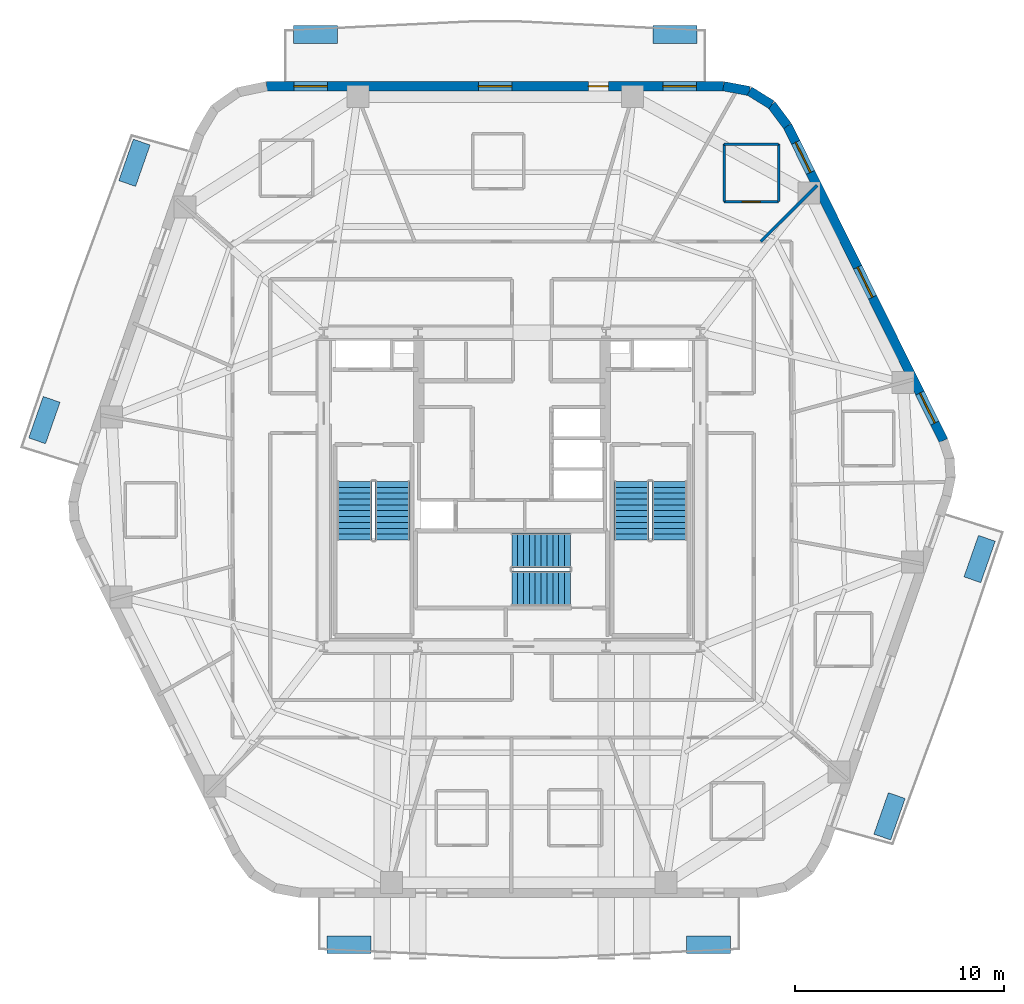
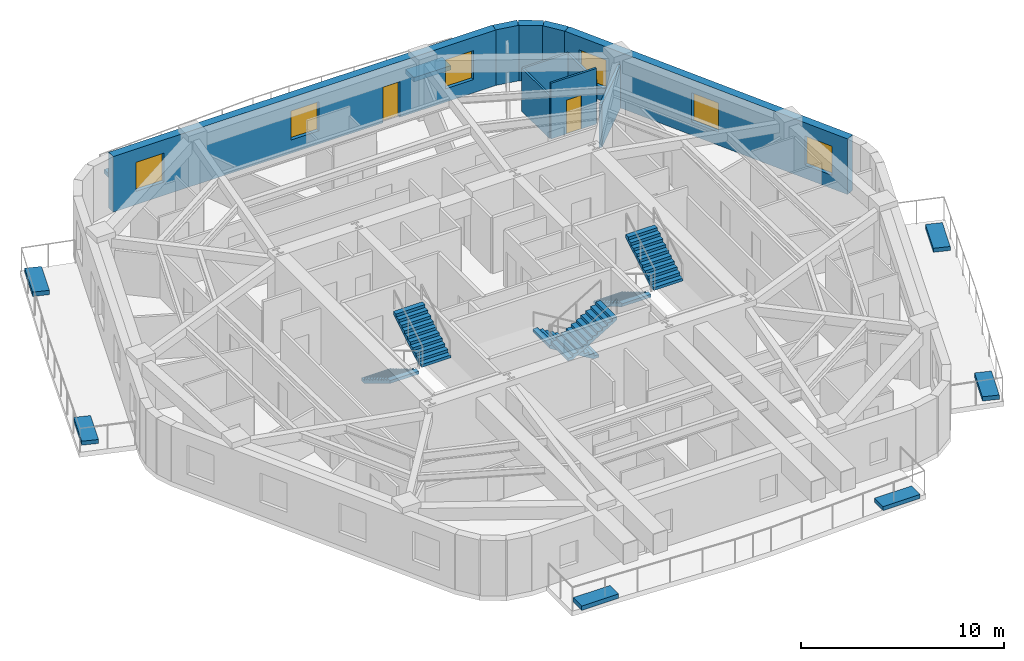
# One storey, part 7 of 11: 10 walls, 8 discrete accessories, 6 stair flights, 6 windows, 2 doors, 8 openings, 3 elements without a shape of their own.
"""IFC4 building model written with IfcOpenShell, lengths in metres."""

from ifc_helpers import new_model, si_unit, direction, frame, frame_2d, origin, origin_2d, place, context, subcontext, project, spatial, polyline, rectangle, outline, extrude, material, layer, layer_set, type_object, element, fill, aggregate, save


model = new_model("IFC4")

# Units and contexts
model_context = context("Model", 3, precision=1e-05, world=origin(), true_north=direction((0.0, 1.0)))
body_context = subcontext(model_context, "Body", "Model", "MODEL_VIEW")
ifc_project = project(units=[si_unit("LENGTHUNIT", "METRE"), si_unit("AREAUNIT", "SQUARE_METRE"), si_unit("VOLUMEUNIT", "CUBIC_METRE"), si_unit("PLANEANGLEUNIT", "RADIAN"), si_unit("MASSUNIT", "GRAM", prefix="KILO")], contexts=[model_context])

# Site, building, storey
site_placement = place(None, origin())
site = spatial("IfcSite", under=ifc_project, at=site_placement, CompositionType="ELEMENT")
building_placement = place(site_placement, origin())
building = spatial("IfcBuilding", under=site, at=building_placement, Name="Kilnhurst Terrace Hotel", CompositionType="ELEMENT")
storey_placement = place(building_placement, frame((0.0, 0.0, 197.800048828125)))
storey = spatial("IfcBuildingStorey", under=building, at=storey_placement, Name="L49", CompositionType="ELEMENT", Elevation=197.800048828125)

# Walls
ifc_material_1 = material(Name="Precast concrete C40/50", Category="concrete")
ifc_layer_1 = layer(ifc_material_1, 0.449951171875, Name="Precast concrete C40/50")
ifc_layer_set_1 = layer_set([ifc_layer_1], Name="Precast concrete C40/50")
wall_type_1 = type_object("IfcWallType", Name="WL-BRK-450", PredefinedType="SOLIDWALL", material=ifc_layer_set_1)
wall_1_placement = place(storey_placement, frame((13.162353515625, 17.380615234375, 0.0), z_axis=(0.0, 0.0, 1.0), x_axis=(-0.601515770517, 0.798860925205, 0.0)))
element("IfcWall", 1, at=wall_1_placement, inside=storey, type_object=wall_type_1, Name="L49 Rounded Corner Brick Wall C4.1", PredefinedType="SOLIDWALL", context=body_context, shape_type="SweptSolid", body=[
    extrude(rectangle(XDim=1.261962890625, YDim=0.449951171875, at=frame_2d((0.630859375, 0.0))), origin(), (0.0, 0.0, 1.0), 3.349853515625),
])
wall_2_placement = place(storey_placement, frame((12.4033203125, 18.388671875, 0.0), z_axis=(0.0, 0.0, 1.0), x_axis=(-0.849795170926, 0.527113049991, 0.0)))
element("IfcWall", 2, at=wall_2_placement, inside=storey, type_object=wall_type_1, Name="L49 Rounded Corner Brick Wall C4.2", PredefinedType="SOLIDWALL", context=body_context, shape_type="SweptSolid", body=[
    extrude(rectangle(XDim=1.24072265625, YDim=0.449951171875, at=frame_2d((0.620361328125, 0.0))), origin(), (0.0, 0.0, 1.0), 3.349853515625),
])
wall_3_placement = place(storey_placement, frame((11.348876953125, 19.042724609375, 0.0), z_axis=(0.0, 0.0, 1.0), x_axis=(-0.982931267051, 0.183973161772, 0.0)))
element("IfcWall", 3, at=wall_3_placement, inside=storey, type_object=wall_type_1, Name="L49 Rounded Corner Brick Wall C4.3", PredefinedType="SOLIDWALL", context=body_context, shape_type="SweptSolid", body=[
    extrude(rectangle(XDim=1.261962890625, YDim=0.449951171875, at=frame_2d((0.630859375, 0.0))), origin(), (0.0, 0.0, 1.0), 3.349853515625),
])

# Wall, openings, windows
wall_4_placement = place(storey_placement, frame((20.618408203125, 2.343994140625, 0.0), z_axis=(0.0, 0.0, 1.0), x_axis=(-0.444243691097, 0.895905990002, 0.0)))
wall_4 = element("IfcWall", 4, at=wall_4_placement, inside=storey, type_object=wall_type_1, Name="L49 Exterior Brick Facade Wall F3", PredefinedType="SOLIDWALL", context=body_context, shape_type="SweptSolid", body=[
    extrude(rectangle(XDim=16.78369140625, YDim=0.449951171875, at=frame_2d((8.391845703125, 0.0))), origin(), (0.0, 0.0, 1.0), 3.349853515625),
])
opening_1_placement = place(wall_4_placement, frame((0.930908203125, 0.0, 0.800048828125)))
opening_1 = element("IfcOpeningElement", 5, at=opening_1_placement, cuts=wall_4, Name="Opening W-05", PredefinedType="OPENING", context=body_context, shape_type="SweptSolid", body=[
    extrude(rectangle(XDim=1.60009765625, YDim=1.75, at=frame_2d((0.800048828125, 0.875))), frame((0.0, 0.23486328125, 0.0), z_axis=(0.0, -1.0, 0.0), x_axis=(1.0, 0.0, 0.0)), (0.0, 0.0, 1.0), 0.469970703125),
])
opening_2_placement = place(wall_4_placement, frame((7.64208984375, 0.0, 0.800048828125)))
opening_2 = element("IfcOpeningElement", 6, at=opening_2_placement, cuts=wall_4, Name="Opening W-05", PredefinedType="OPENING", context=body_context, shape_type="SweptSolid", body=[
    extrude(rectangle(XDim=1.60009765625, YDim=1.75, at=frame_2d((0.800048828125, 0.875))), frame((0.0, 0.23486328125, 0.0), z_axis=(0.0, -1.0, 0.0), x_axis=(1.0, 0.0, 0.0)), (0.0, 0.0, 1.0), 0.469970703125),
])
opening_3_placement = place(wall_4_placement, frame((14.302978515625, 0.0, 0.800048828125)))
opening_3 = element("IfcOpeningElement", 7, at=opening_3_placement, cuts=wall_4, Name="Opening W-05", PredefinedType="OPENING", context=body_context, shape_type="SweptSolid", body=[
    extrude(rectangle(XDim=1.60009765625, YDim=1.75, at=frame_2d((0.800048828125, 0.875))), frame((0.0, 0.23486328125, 0.0), z_axis=(0.0, -1.0, 0.0), x_axis=(1.0, 0.0, 0.0)), (0.0, 0.0, 1.0), 0.469970703125),
])
ifc_material_2 = material(Name="Thermally Broken Bronze Aluminium Alloy 6063-T6 and Low-E Glass", Category="aluminium")
window_type = type_object("IfcWindowType", Name="WIN-1600X1750", PartitioningType="SINGLE_PANEL", PredefinedType="WINDOW", material=ifc_material_2)
window_1_placement = place(opening_1_placement, origin())
window_1 = element("IfcWindow", 8, at=window_1_placement, inside=storey, type_object=window_type, Name="L49 Deep-Set Masonry Window F3.1", OverallHeight=1.75, OverallWidth=1.60009765625, PartitioningType="SINGLE_PANEL", PredefinedType="WINDOW", context=body_context, shape_type="SweptSolid", body=[
    extrude(rectangle(XDim=1.60009765625, YDim=1.75, at=frame_2d((0.800048828125, 0.875))), frame((0.0, 0.030029296875, 0.0), z_axis=(0.0, -1.0, 0.0), x_axis=(1.0, 0.0, 0.0)), (0.0, 0.0, 1.0), 0.06005859375),
])
fill(opening_1, window_1)
window_2_placement = place(opening_2_placement, origin())
window_2 = element("IfcWindow", 9, at=window_2_placement, inside=storey, type_object=window_type, Name="L49 Deep-Set Masonry Window F3.2", OverallHeight=1.75, OverallWidth=1.60009765625, PartitioningType="SINGLE_PANEL", PredefinedType="WINDOW", context=body_context, shape_type="SweptSolid", body=[
    extrude(rectangle(XDim=1.60009765625, YDim=1.75, at=frame_2d((0.800048828125, 0.875))), frame((0.0, 0.030029296875, 0.0), z_axis=(0.0, -1.0, 0.0), x_axis=(1.0, 0.0, 0.0)), (0.0, 0.0, 1.0), 0.06005859375),
])
fill(opening_2, window_2)
window_3_placement = place(opening_3_placement, origin())
window_3 = element("IfcWindow", 10, at=window_3_placement, inside=storey, type_object=window_type, Name="L49 Deep-Set Masonry Window F3.3", OverallHeight=1.75, OverallWidth=1.60009765625, PartitioningType="SINGLE_PANEL", PredefinedType="WINDOW", context=body_context, shape_type="SweptSolid", body=[
    extrude(rectangle(XDim=1.60009765625, YDim=1.75, at=frame_2d((0.800048828125, 0.875))), frame((0.0, 0.030029296875, 0.0), z_axis=(0.0, -1.0, 0.0), x_axis=(1.0, 0.0, 0.0)), (0.0, 0.0, 1.0), 0.06005859375),
])
fill(opening_3, window_3)

# Wall, openings, door, windows
wall_5_placement = place(storey_placement, frame((10.1083984375, 19.27490234375, 0.0), z_axis=(0.0, 0.0, 1.0), x_axis=(-1.0, 0.0, 0.0)))
wall_5 = element("IfcWall", 11, at=wall_5_placement, inside=storey, type_object=wall_type_1, Name="L49 Exterior Brick Facade Wall F4", PredefinedType="SOLIDWALL", context=body_context, shape_type="SweptSolid", body=[
    extrude(rectangle(XDim=21.828857421875, YDim=0.449951171875, at=frame_2d((10.91455078125, 0.0))), origin(), (0.0, 0.0, 1.0), 3.349853515625),
])
opening_4_placement = place(wall_5_placement, frame((5.5029296875, 0.0, 0.0)))
opening_4 = element("IfcOpeningElement", 12, at=opening_4_placement, cuts=wall_5, Name="Opening BD-950", PredefinedType="OPENING", context=body_context, shape_type="SweptSolid", body=[
    extrude(rectangle(XDim=0.949951171875, YDim=2.14990234375, at=frame_2d((0.47509765625, 1.074951171875))), frame((0.0, 0.23486328125, 0.0), z_axis=(0.0, -1.0, 0.0), x_axis=(1.0, 0.0, 0.0)), (0.0, 0.0, 1.0), 0.469970703125),
])
opening_5_placement = place(wall_5_placement, frame((1.297119140625, 0.0, 0.800048828125)))
opening_5 = element("IfcOpeningElement", 13, at=opening_5_placement, cuts=wall_5, Name="Opening W-05", PredefinedType="OPENING", context=body_context, shape_type="SweptSolid", body=[
    extrude(rectangle(XDim=1.60009765625, YDim=1.75, at=frame_2d((0.800048828125, 0.875))), frame((0.0, 0.23486328125, 0.0), z_axis=(0.0, -1.0, 0.0), x_axis=(1.0, 0.0, 0.0)), (0.0, 0.0, 1.0), 0.469970703125),
])
opening_6_placement = place(wall_5_placement, frame((10.114990234375, 0.0, 0.800048828125)))
opening_6 = element("IfcOpeningElement", 14, at=opening_6_placement, cuts=wall_5, Name="Opening W-05", PredefinedType="OPENING", context=body_context, shape_type="SweptSolid", body=[
    extrude(rectangle(XDim=1.60009765625, YDim=1.75, at=frame_2d((0.800048828125, 0.875))), frame((0.0, 0.23486328125, 0.0), z_axis=(0.0, -1.0, 0.0), x_axis=(1.0, 0.0, 0.0)), (0.0, 0.0, 1.0), 0.469970703125),
])
opening_7_placement = place(wall_5_placement, frame((18.93310546875, 0.0, 0.800048828125)))
opening_7 = element("IfcOpeningElement", 15, at=opening_7_placement, cuts=wall_5, Name="Opening W-05", PredefinedType="OPENING", context=body_context, shape_type="SweptSolid", body=[
    extrude(rectangle(XDim=1.60009765625, YDim=1.75, at=frame_2d((0.800048828125, 0.875))), frame((0.0, 0.23486328125, 0.0), z_axis=(0.0, -1.0, 0.0), x_axis=(1.0, 0.0, 0.0)), (0.0, 0.0, 1.0), 0.469970703125),
])
ifc_material_3 = material(Name="Thermally Broken Bronze Aluminium Alloy 6063-T6 and Laminated Glass", Category="aluminium")
door_type_1 = type_object("IfcDoorType", Name="DR-EXT-BAL-950", OperationType="NOTDEFINED", PredefinedType="DOOR", material=ifc_material_3)
door_1_placement = place(opening_4_placement, origin())
door_1 = element("IfcDoor", 16, at=door_1_placement, inside=storey, type_object=door_type_1, Name="L49 Planted Balcony Door BAL-L2A", OperationType="SINGLE_SWING_RIGHT", OverallHeight=2.14990234375, OverallWidth=0.949951171875, PredefinedType="DOOR", context=body_context, shape_type="SweptSolid", body=[
    extrude(rectangle(XDim=0.949951171875, YDim=2.14990234375, at=frame_2d((0.47509765625, 1.074951171875))), frame((0.0, 0.02490234375, 0.0), z_axis=(0.0, -1.0, 0.0), x_axis=(1.0, 0.0, 0.0)), (0.0, 0.0, 1.0), 0.050048828125),
])
fill(opening_4, door_1)
window_4_placement = place(opening_5_placement, origin())
window_4 = element("IfcWindow", 17, at=window_4_placement, inside=storey, type_object=window_type, Name="L49 Deep-Set Masonry Window F4.1", OverallHeight=1.75, OverallWidth=1.60009765625, PartitioningType="SINGLE_PANEL", PredefinedType="WINDOW", context=body_context, shape_type="SweptSolid", body=[
    extrude(rectangle(XDim=1.60009765625, YDim=1.75, at=frame_2d((0.800048828125, 0.875))), frame((0.0, 0.030029296875, 0.0), z_axis=(0.0, -1.0, 0.0), x_axis=(1.0, 0.0, 0.0)), (0.0, 0.0, 1.0), 0.06005859375),
])
fill(opening_5, window_4)
window_5_placement = place(opening_6_placement, origin())
window_5 = element("IfcWindow", 18, at=window_5_placement, inside=storey, type_object=window_type, Name="L49 Deep-Set Masonry Window F4.2", OverallHeight=1.75, OverallWidth=1.60009765625, PartitioningType="SINGLE_PANEL", PredefinedType="WINDOW", context=body_context, shape_type="SweptSolid", body=[
    extrude(rectangle(XDim=1.60009765625, YDim=1.75, at=frame_2d((0.800048828125, 0.875))), frame((0.0, 0.030029296875, 0.0), z_axis=(0.0, -1.0, 0.0), x_axis=(1.0, 0.0, 0.0)), (0.0, 0.0, 1.0), 0.06005859375),
])
fill(opening_6, window_5)
window_6_placement = place(opening_7_placement, origin())
window_6 = element("IfcWindow", 19, at=window_6_placement, inside=storey, type_object=window_type, Name="L49 Deep-Set Masonry Window F4.3", OverallHeight=1.75, OverallWidth=1.60009765625, PartitioningType="SINGLE_PANEL", PredefinedType="WINDOW", context=body_context, shape_type="SweptSolid", body=[
    extrude(rectangle(XDim=1.60009765625, YDim=1.75, at=frame_2d((0.800048828125, 0.875))), frame((0.0, 0.030029296875, 0.0), z_axis=(0.0, -1.0, 0.0), x_axis=(1.0, 0.0, 0.0)), (0.0, 0.0, 1.0), 0.06005859375),
])
fill(opening_7, window_6)

# Wall
ifc_material_4 = material(Name="STC-58 Acoustic Twin-Frame Guestroom Demising Partition")
ifc_layer_2 = layer(ifc_material_4, 0.14990234375, Name="STC-58 Acoustic Twin-Frame Guestroom Demising Partition")
ifc_layer_set_2 = layer_set([ifc_layer_2], Name="STC-58 Acoustic Twin-Frame Guestroom Demising Partition")
wall_type_2 = type_object("IfcWallType", Name="WL-DEM-150", PredefinedType="PARTITIONING", material=ifc_layer_set_2)
wall_6_placement = place(storey_placement, frame((11.8818359375, 11.85009765625, 0.0), z_axis=(0.0, 0.0, 1.0), x_axis=(0.708037373639, 0.706174962407, 0.0)))
element("IfcWall", 20, at=wall_6_placement, inside=storey, type_object=wall_type_2, Name="L49 Interior Wall WL-L49-DEM-COL02-03-1", PredefinedType="PARTITIONING", context=body_context, shape_type="SweptSolid", body=[
    extrude(rectangle(XDim=3.801513671875, YDim=0.14990234375, at=frame_2d((1.90087890625, 0.0))), origin(), (0.0, 0.0, 1.0), 2.58984375),
])

# Wall, opening, door
ifc_material_5 = material(Name="120 mm Moisture-Resistant Tile-Backed Bathroom Partition")
ifc_layer_3 = layer(ifc_material_5, 0.1201171875, Name="120 mm Moisture-Resistant Tile-Backed Bathroom Partition")
ifc_layer_set_3 = layer_set([ifc_layer_3], Name="120 mm Moisture-Resistant Tile-Backed Bathroom Partition")
wall_type_3 = type_object("IfcWallType", Name="WL-PART-120", PredefinedType="PARTITIONING", material=ifc_layer_set_3)
wall_7_placement = place(storey_placement, frame((10.135986328125, 13.760986328125, 0.0), z_axis=(0.0, 0.0, 1.0), x_axis=(1.0, 0.0, 0.0)))
wall_7 = element("IfcWall", 21, at=wall_7_placement, inside=storey, type_object=wall_type_3, Name="L49 Interior Wall WL-L49-BTH-03-1", PredefinedType="PARTITIONING", context=body_context, shape_type="SweptSolid", body=[
    extrude(rectangle(XDim=2.60009765625, YDim=0.1201171875, at=frame_2d((1.300048828125, 0.0))), origin(), (0.0, 0.0, 1.0), 3.349853515625),
])
opening_8_placement = place(wall_7_placement, frame((0.875, 0.0, 0.0)))
opening_8 = element("IfcOpeningElement", 22, at=opening_8_placement, cuts=wall_7, Name="Opening D-08A", PredefinedType="OPENING", context=body_context, shape_type="SweptSolid", body=[
    extrude(rectangle(XDim=0.85009765625, YDim=2.030029296875, at=frame_2d((0.425048828125, 1.01513671875))), frame((0.0, 0.070068359375, 0.0), z_axis=(0.0, -1.0, 0.0), x_axis=(1.0, 0.0, 0.0)), (0.0, 0.0, 1.0), 0.14013671875),
])
ifc_material_6 = material(Name="Moisture-Resistant Lacquered En-suite Bathroom Door")
door_type_2 = type_object("IfcDoorType", Name="DR-INT-850", OperationType="NOTDEFINED", PredefinedType="DOOR", material=ifc_material_6)
door_2_placement = place(opening_8_placement, origin())
door_2 = element("IfcDoor", 23, at=door_2_placement, inside=storey, type_object=door_type_2, Name="L49 En-suite Bathroom Door 3", OperationType="SINGLE_SWING_RIGHT", OverallHeight=2.030029296875, OverallWidth=0.85009765625, PredefinedType="DOOR", context=body_context, shape_type="SweptSolid", body=[
    extrude(rectangle(XDim=0.85009765625, YDim=2.030029296875, at=frame_2d((0.425048828125, 1.01513671875))), frame((0.0, 0.02490234375, 0.0), z_axis=(0.0, -1.0, 0.0), x_axis=(1.0, 0.0, 0.0)), (0.0, 0.0, 1.0), 0.050048828125),
])
fill(opening_8, door_2)

# Walls
wall_8_placement = place(storey_placement, frame((12.736083984375, 13.760986328125, 0.0), z_axis=(0.0, 0.0, 1.0), x_axis=(0.0, 1.0, 0.0)))
element("IfcWall", 24, at=wall_8_placement, inside=storey, type_object=wall_type_3, Name="L49 Interior Wall WL-L49-BTH-03-2", PredefinedType="PARTITIONING", context=body_context, shape_type="SweptSolid", body=[
    extrude(rectangle(XDim=2.75, YDim=0.1201171875, at=frame_2d((1.375, 0.0))), origin(), (0.0, 0.0, 1.0), 2.58984375),
])
wall_9_placement = place(storey_placement, frame((12.736083984375, 16.510986328125, 0.0), z_axis=(0.0, 0.0, 1.0), x_axis=(-1.0, 0.0, 0.0)))
element("IfcWall", 25, at=wall_9_placement, inside=storey, type_object=wall_type_3, Name="L49 Interior Wall WL-L49-BTH-03-3", PredefinedType="PARTITIONING", context=body_context, shape_type="SweptSolid", body=[
    extrude(rectangle(XDim=2.60009765625, YDim=0.1201171875, at=frame_2d((1.300048828125, 0.0))), origin(), (0.0, 0.0, 1.0), 2.58984375),
])
wall_10_placement = place(storey_placement, frame((10.135986328125, 16.510986328125, 0.0), z_axis=(0.0, 0.0, 1.0), x_axis=(0.0, -1.0, 0.0)))
element("IfcWall", 26, at=wall_10_placement, inside=storey, type_object=wall_type_3, Name="L49 Interior Wall WL-L49-BTH-03-4", PredefinedType="PARTITIONING", context=body_context, shape_type="SweptSolid", body=[
    extrude(rectangle(XDim=2.75, YDim=0.1201171875, at=frame_2d((1.375, 0.0))), origin(), (0.0, 0.0, 1.0), 2.58984375),
])

# Stair, stair flights
ifc_material_7 = material(Name="Concrete C50/60", Category="concrete")
stair_type = type_object("IfcStairType", Name="STR-CORE-1660", PredefinedType="HALF_TURN_STAIR", material=ifc_material_7)
stair_1_placement = place(storey_placement, origin())
stair_1 = element("IfcStair", 27, at=stair_1_placement, inside=storey, type_object=stair_type, Name="L49 ST-1", PredefinedType="HALF_TURN_STAIR")
stair_flight_type = type_object("IfcStairFlightType", Name="FLT-RC-1660", PredefinedType="STRAIGHT", material=ifc_material_7)
stair_flight_1_placement = place(storey_placement, frame((-7.52001953125, 0.389892578125, 0.0), z_axis=(0.0, 0.0, 1.0), x_axis=(0.0, -1.0, 0.0)))
stair_flight_1 = element("IfcStairFlight", 28, at=stair_flight_1_placement, type_object=stair_flight_type, Name="ST-1 flight 1", NumberOfRisers=11, NumberOfTreads=10, PredefinedType="STRAIGHT", RiserHeight=0.168181818, TreadLength=0.28, context=body_context, shape_type="SweptSolid", body=[
    extrude(outline(polyline([(0.0, 0.0), (0.0, 0.168212890625), (0.280029296875, 0.168212890625), (0.280029296875, 0.33642578125), (0.56005859375, 0.33642578125), (0.56005859375, 0.504638671875), (0.840087890625, 0.504638671875), (0.840087890625, 0.672607421875), (1.1201171875, 0.672607421875), (1.1201171875, 0.8408203125), (1.39990234375, 0.8408203125), (1.39990234375, 1.009033203125), (1.679931640625, 1.009033203125), (1.679931640625, 1.17724609375), (1.9599609375, 1.17724609375), (1.9599609375, 1.345458984375), (2.239990234375, 1.345458984375), (2.239990234375, 1.513671875), (2.52001953125, 1.513671875), (2.52001953125, 1.681884765625), (2.800048828125, 1.681884765625), (2.800048828125, 1.85009765625), (2.800048828125, 1.5068359375), (0.291015625, 0.0), (0.0, 0.0)])), frame((0.0, 0.830078125, 0.0), z_axis=(0.0, -1.0, 0.0), x_axis=(1.0, 0.0, 0.0)), (0.0, 0.0, 1.0), 1.659912109375),
])
stair_flight_2_placement = place(storey_placement, frame((-5.7099609375, -2.409912109375, 1.849853515625), z_axis=(0.0, 0.0, 1.0), x_axis=(0.0, 1.0, 0.0)))
stair_flight_2 = element("IfcStairFlight", 29, at=stair_flight_2_placement, type_object=stair_flight_type, Name="ST-1 flight 2", NumberOfRisers=11, NumberOfTreads=10, PredefinedType="STRAIGHT", RiserHeight=0.168181818, TreadLength=0.28, context=body_context, shape_type="SweptSolid", body=[
    extrude(outline(polyline([(0.0, 0.0), (0.0, 0.168212890625), (0.280029296875, 0.168212890625), (0.280029296875, 0.33642578125), (0.56005859375, 0.33642578125), (0.56005859375, 0.504638671875), (0.840087890625, 0.504638671875), (0.840087890625, 0.672607421875), (1.1201171875, 0.672607421875), (1.1201171875, 0.8408203125), (1.39990234375, 0.8408203125), (1.39990234375, 1.009033203125), (1.679931640625, 1.009033203125), (1.679931640625, 1.17724609375), (1.9599609375, 1.17724609375), (1.9599609375, 1.345458984375), (2.239990234375, 1.345458984375), (2.239990234375, 1.513671875), (2.52001953125, 1.513671875), (2.52001953125, 1.681884765625), (2.800048828125, 1.681884765625), (2.800048828125, 1.85009765625), (2.800048828125, 1.5068359375), (0.291015625, 0.0), (0.0, 0.0)])), frame((0.0, 0.830078125, 0.0), z_axis=(0.0, -1.0, 0.0), x_axis=(1.0, 0.0, 0.0)), (0.0, 0.0, 1.0), 1.659912109375),
])
aggregate(stair_1, [stair_flight_1, stair_flight_2])

stair_2_placement = place(storey_placement, origin())
stair_2 = element("IfcStair", 30, at=stair_2_placement, inside=storey, type_object=stair_type, Name="L49 ST-2", PredefinedType="HALF_TURN_STAIR")
stair_flight_3_placement = place(storey_placement, frame((5.7099609375, 0.389892578125, 0.0), z_axis=(0.0, 0.0, 1.0), x_axis=(0.0, -1.0, 0.0)))
stair_flight_3 = element("IfcStairFlight", 31, at=stair_flight_3_placement, type_object=stair_flight_type, Name="ST-2 flight 1", NumberOfRisers=11, NumberOfTreads=10, PredefinedType="STRAIGHT", RiserHeight=0.168181818, TreadLength=0.28, context=body_context, shape_type="SweptSolid", body=[
    extrude(outline(polyline([(0.0, 0.0), (0.0, 0.168212890625), (0.280029296875, 0.168212890625), (0.280029296875, 0.33642578125), (0.56005859375, 0.33642578125), (0.56005859375, 0.504638671875), (0.840087890625, 0.504638671875), (0.840087890625, 0.672607421875), (1.1201171875, 0.672607421875), (1.1201171875, 0.8408203125), (1.39990234375, 0.8408203125), (1.39990234375, 1.009033203125), (1.679931640625, 1.009033203125), (1.679931640625, 1.17724609375), (1.9599609375, 1.17724609375), (1.9599609375, 1.345458984375), (2.239990234375, 1.345458984375), (2.239990234375, 1.513671875), (2.52001953125, 1.513671875), (2.52001953125, 1.681884765625), (2.800048828125, 1.681884765625), (2.800048828125, 1.85009765625), (2.800048828125, 1.5068359375), (0.291015625, 0.0), (0.0, 0.0)])), frame((0.0, 0.830078125, 0.0), z_axis=(0.0, -1.0, 0.0), x_axis=(1.0, 0.0, 0.0)), (0.0, 0.0, 1.0), 1.659912109375),
])
stair_flight_4_placement = place(storey_placement, frame((7.52001953125, -2.409912109375, 1.849853515625), z_axis=(0.0, 0.0, 1.0), x_axis=(0.0, 1.0, 0.0)))
stair_flight_4 = element("IfcStairFlight", 32, at=stair_flight_4_placement, type_object=stair_flight_type, Name="ST-2 flight 2", NumberOfRisers=11, NumberOfTreads=10, PredefinedType="STRAIGHT", RiserHeight=0.168181818, TreadLength=0.28, context=body_context, shape_type="SweptSolid", body=[
    extrude(outline(polyline([(0.0, 0.0), (0.0, 0.168212890625), (0.280029296875, 0.168212890625), (0.280029296875, 0.33642578125), (0.56005859375, 0.33642578125), (0.56005859375, 0.504638671875), (0.840087890625, 0.504638671875), (0.840087890625, 0.672607421875), (1.1201171875, 0.672607421875), (1.1201171875, 0.8408203125), (1.39990234375, 0.8408203125), (1.39990234375, 1.009033203125), (1.679931640625, 1.009033203125), (1.679931640625, 1.17724609375), (1.9599609375, 1.17724609375), (1.9599609375, 1.345458984375), (2.239990234375, 1.345458984375), (2.239990234375, 1.513671875), (2.52001953125, 1.513671875), (2.52001953125, 1.681884765625), (2.800048828125, 1.681884765625), (2.800048828125, 1.85009765625), (2.800048828125, 1.5068359375), (0.291015625, 0.0), (0.0, 0.0)])), frame((0.0, 0.830078125, 0.0), z_axis=(0.0, -1.0, 0.0), x_axis=(1.0, 0.0, 0.0)), (0.0, 0.0, 1.0), 1.659912109375),
])
aggregate(stair_2, [stair_flight_3, stair_flight_4])

stair_3_placement = place(storey_placement, origin())
stair_3 = element("IfcStair", 33, at=stair_3_placement, inside=storey, type_object=stair_type, Name="L49 ST-3", PredefinedType="HALF_TURN_STAIR")
stair_flight_5_placement = place(storey_placement, frame((2.7900390625, -2.909912109375, 0.0), z_axis=(0.0, 0.0, 1.0), x_axis=(-1.0, 0.0, 0.0)))
stair_flight_5 = element("IfcStairFlight", 34, at=stair_flight_5_placement, type_object=stair_flight_type, Name="ST-3 flight 1", NumberOfRisers=11, NumberOfTreads=10, PredefinedType="STRAIGHT", RiserHeight=0.168181818, TreadLength=0.28, context=body_context, shape_type="SweptSolid", body=[
    extrude(outline(polyline([(0.0, 0.0), (0.0, 0.168212890625), (0.280029296875, 0.168212890625), (0.280029296875, 0.33642578125), (0.56005859375, 0.33642578125), (0.56005859375, 0.504638671875), (0.840087890625, 0.504638671875), (0.840087890625, 0.672607421875), (1.1201171875, 0.672607421875), (1.1201171875, 0.8408203125), (1.39990234375, 0.8408203125), (1.39990234375, 1.009033203125), (1.679931640625, 1.009033203125), (1.679931640625, 1.17724609375), (1.9599609375, 1.17724609375), (1.9599609375, 1.345458984375), (2.239990234375, 1.345458984375), (2.239990234375, 1.513671875), (2.52001953125, 1.513671875), (2.52001953125, 1.681884765625), (2.800048828125, 1.681884765625), (2.800048828125, 1.85009765625), (2.800048828125, 1.5068359375), (0.291015625, 0.0), (0.0, 0.0)])), frame((0.0, 0.830078125, 0.0), z_axis=(0.0, -1.0, 0.0), x_axis=(1.0, 0.0, 0.0)), (0.0, 0.0, 1.0), 1.659912109375),
])
stair_flight_6_placement = place(storey_placement, frame((-0.010009765625, -4.719970703125, 1.849853515625), z_axis=(0.0, 0.0, 1.0), x_axis=(1.0, 0.0, 0.0)))
stair_flight_6 = element("IfcStairFlight", 35, at=stair_flight_6_placement, type_object=stair_flight_type, Name="ST-3 flight 2", NumberOfRisers=11, NumberOfTreads=10, PredefinedType="STRAIGHT", RiserHeight=0.168181818, TreadLength=0.28, context=body_context, shape_type="SweptSolid", body=[
    extrude(outline(polyline([(0.0, 0.0), (0.0, 0.168212890625), (0.280029296875, 0.168212890625), (0.280029296875, 0.33642578125), (0.56005859375, 0.33642578125), (0.56005859375, 0.504638671875), (0.840087890625, 0.504638671875), (0.840087890625, 0.672607421875), (1.1201171875, 0.672607421875), (1.1201171875, 0.8408203125), (1.39990234375, 0.8408203125), (1.39990234375, 1.009033203125), (1.679931640625, 1.009033203125), (1.679931640625, 1.17724609375), (1.9599609375, 1.17724609375), (1.9599609375, 1.345458984375), (2.239990234375, 1.345458984375), (2.239990234375, 1.513671875), (2.52001953125, 1.513671875), (2.52001953125, 1.681884765625), (2.800048828125, 1.681884765625), (2.800048828125, 1.85009765625), (2.800048828125, 1.5068359375), (0.291015625, 0.0), (0.0, 0.0)])), frame((0.0, 0.830078125, 0.0), z_axis=(0.0, -1.0, 0.0), x_axis=(1.0, 0.0, 0.0)), (0.0, 0.0, 1.0), 1.659912109375),
])
aggregate(stair_3, [stair_flight_5, stair_flight_6])

# Discrete accessories
ifc_material_8 = material(Name="Precast Concrete C40/50 Shrub Planter", Category="concrete")
discrete_accessory_type_1 = type_object("IfcDiscreteAccessoryType", Name="PLN-SHRUB-240", PredefinedType="USERDEFINED", material=ifc_material_8)
for number, where, z_axis, x_axis, name in (
    (36, (9.3935546875, -21.75, 0.0), (0.0, 0.0, 1.0), (1.0, 0.0, 0.0), "L49 Structural Tree Planter Box PLANTER BAL-L1A.2"),
    (37, (22.34619140625, -3.319580078125, 0.0), (0.0, 0.0, 1.0), (0.330432029284, 0.943829790811, 0.0), "L49 Structural Tree Planter Box PLANTER BAL-L1B.2"),
    (38, (-9.3935546875, 21.75, 0.0), (0.0, 0.0, 1.0), (-1.0, 0.0, 0.0), "L49 Structural Tree Planter Box PLANTER BAL-L2A.2"),
    (39, (-22.34619140625, 3.319580078125, 0.0), (0.0, 0.0, 1.0), (-0.330432029284, -0.943829790811, 0.0), "L49 Structural Tree Planter Box PLANTER BAL-L2B.2"),
):
    element("IfcDiscreteAccessory", number, at=place(storey_placement, frame(where, z_axis=z_axis, x_axis=x_axis)), inside=storey, type_object=discrete_accessory_type_1, Name=name, ObjectType="PLANTER", PredefinedType="USERDEFINED", context=body_context, shape_type="SweptSolid", body=[
        extrude(rectangle(XDim=2.10009765625, YDim=0.85009765625, at=origin_2d()), origin(), (0.0, 0.0, 1.0), 0.239990234375),
    ])
ifc_material_9 = material(Name="Precast Concrete C40/50 Tree Planter", Category="concrete")
discrete_accessory_type_2 = type_object("IfcDiscreteAccessoryType", Name="PLN-TREE-260", PredefinedType="USERDEFINED", material=ifc_material_9)
for number, where, z_axis, x_axis, name in (
    (40, (-7.779296875, -21.75, 0.0), (0.0, 0.0, 1.0), (1.0, 0.0, 0.0), "L49 Structural Tree Planter Box PLANTER BAL-L1A.1"),
    (41, (18.04150390625, -15.614990234375, 0.0), (0.0, 0.0, 1.0), (0.330432029284, 0.943829790811, 0.0), "L49 Structural Tree Planter Box PLANTER BAL-L1B.1"),
    (42, (7.779296875, 21.75, 0.0), (0.0, 0.0, 1.0), (-1.0, 0.0, 0.0), "L49 Structural Tree Planter Box PLANTER BAL-L2A.1"),
    (43, (-18.04150390625, 15.614990234375, 0.0), (0.0, 0.0, 1.0), (-0.330432029284, -0.943829790811, 0.0), "L49 Structural Tree Planter Box PLANTER BAL-L2B.1"),
):
    element("IfcDiscreteAccessory", number, at=place(storey_placement, frame(where, z_axis=z_axis, x_axis=x_axis)), inside=storey, type_object=discrete_accessory_type_2, Name=name, ObjectType="PLANTER", PredefinedType="USERDEFINED", context=body_context, shape_type="SweptSolid", body=[
        extrude(rectangle(XDim=2.10009765625, YDim=0.85009765625, at=origin_2d()), origin(), (0.0, 0.0, 1.0), 0.260009765625),
    ])

save(model, "model.ifc")
